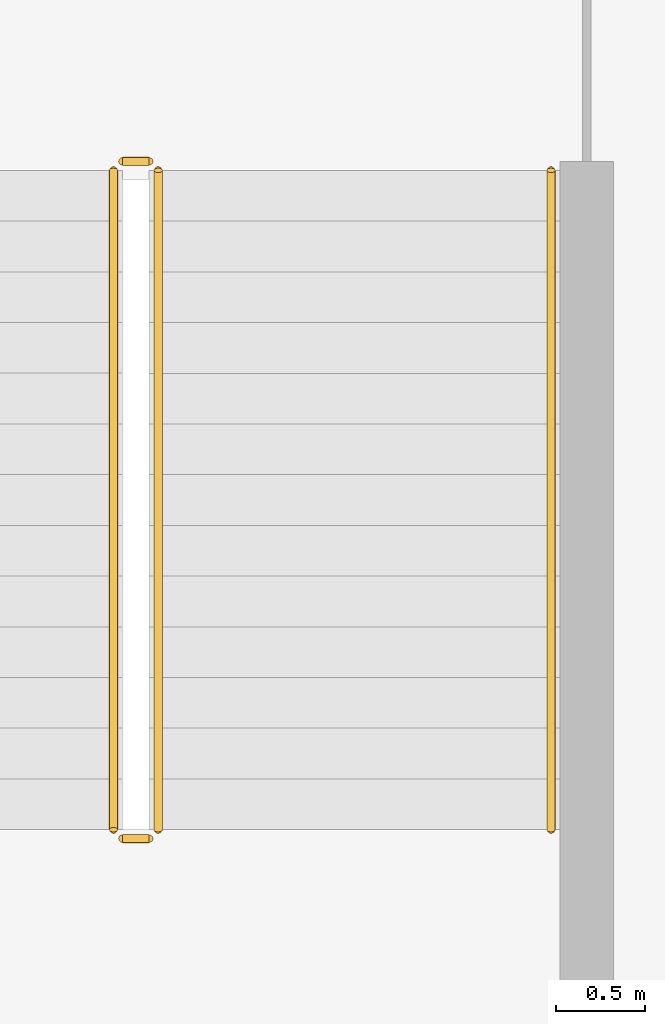
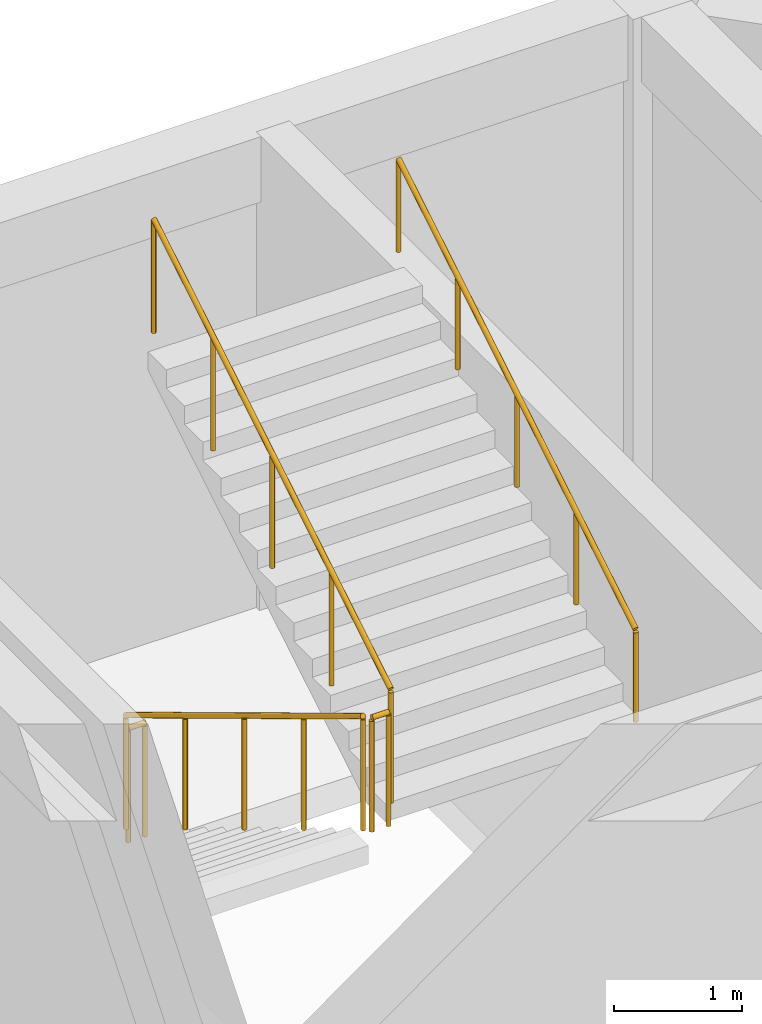
# One storey, part 26 of 26: 5 railings.
"""IFC4 building model written with IfcOpenShell, lengths in metres."""

from ifc_helpers import new_model, si_unit, direction, frame, origin, origin_2d, place, context, subcontext, project, spatial, circle, extrude, material, type_object, element, save


model = new_model("IFC4")

# Units and contexts
model_context = context("Model", 3, precision=1e-05, world=origin(), true_north=direction((0.0, 1.0)))
body_context = subcontext(model_context, "Body", "Model", "MODEL_VIEW")
ifc_project = project(units=[si_unit("LENGTHUNIT", "METRE"), si_unit("AREAUNIT", "SQUARE_METRE"), si_unit("VOLUMEUNIT", "CUBIC_METRE"), si_unit("PLANEANGLEUNIT", "RADIAN"), si_unit("MASSUNIT", "GRAM", prefix="KILO")], contexts=[model_context])

# Site, building, storey
site_placement = place(None, origin())
site = spatial("IfcSite", under=ifc_project, at=site_placement, CompositionType="ELEMENT")
building_placement = place(site_placement, origin())
building = spatial("IfcBuilding", under=site, at=building_placement, Name="Dhurran Vertical Campus", CompositionType="ELEMENT")
storey_placement = place(building_placement, frame((0.0, 0.0, 15.60009765625)))
storey = spatial("IfcBuildingStorey", under=building, at=storey_placement, Name="L03", CompositionType="ELEMENT", Elevation=15.60009765625)

# Railings
ifc_material_1 = material(Name="Steel S355J2H", Category="steel")
railing_type_1 = type_object("IfcRailingType", Name="hl-stair guard 1100", PredefinedType="GUARDRAIL", material=ifc_material_1)
railing_1_placement = place(storey_placement, frame((118.39990234375, 24.550048828125, 0.17138671875)))
element("IfcRailing", 1, at=railing_1_placement, inside=storey, type_object=railing_type_1, Name="L03 HST2 stair guard 1", PredefinedType="GUARDRAIL", context=body_context, shape_type="SweptSolid", body=[
    extrude(circle(Radius=0.02392578125, at=origin_2d()), frame((0.0, 0.0, 1.076171875), z_axis=(0.0, -0.85613627591, 0.516750110858), x_axis=(1.0, 0.0, 0.0)), (0.0, 0.0, 1.0), 4.3125),
    extrude(circle(Radius=0.02099609375, at=origin_2d()), origin(), (0.0, 0.0, 1.0), 1.052001953125),
    extrude(circle(Radius=0.02099609375, at=origin_2d()), frame((0.0, -0.923095703125, 0.55712890625)), (0.0, 0.0, 1.0), 1.052001953125),
    extrude(circle(Radius=0.02099609375, at=origin_2d()), frame((0.0, -1.84619140625, 1.1142578125)), (0.0, 0.0, 1.0), 1.052001953125),
    extrude(circle(Radius=0.02099609375, at=origin_2d()), frame((0.0, -2.76904296875, 1.67138671875)), (0.0, 0.0, 1.0), 1.052001953125),
    extrude(circle(Radius=0.02099609375, at=origin_2d()), frame((0.0, -3.692138671875, 2.228515625)), (0.0, 0.0, 1.0), 1.052001953125),
])
railing_2_placement = place(storey_placement, frame((118.449951171875, 20.80810546875, 2.39990234375)))
element("IfcRailing", 2, at=railing_2_placement, inside=storey, type_object=railing_type_1, Name="L03 HST2 stair guard 2", PredefinedType="GUARDRAIL", context=body_context, shape_type="SweptSolid", body=[
    extrude(circle(Radius=0.02392578125, at=origin_2d()), frame((0.0, 0.0, 1.076171875), z_axis=(1.0, 0.0, 0.0), x_axis=(0.0, 1.0, 0.0)), (0.0, 0.0, 1.0), 0.150146484375),
    extrude(circle(Radius=0.02099609375, at=origin_2d()), origin(), (0.0, 0.0, 1.0), 1.052001953125),
    extrude(circle(Radius=0.02099609375, at=origin_2d()), frame((0.150146484375, 0.0, 0.0)), (0.0, 0.0, 1.0), 1.052001953125),
])
railing_3_placement = place(storey_placement, frame((118.64990234375, 20.85791015625, 2.5712890625)))
element("IfcRailing", 3, at=railing_3_placement, inside=storey, type_object=railing_type_1, Name="L03 HST2 stair guard 3", PredefinedType="GUARDRAIL", context=body_context, shape_type="SweptSolid", body=[
    extrude(circle(Radius=0.02392578125, at=origin_2d()), frame((0.0, 0.0, 1.076171875), z_axis=(0.0, 0.85613627591, 0.516750110858), x_axis=(-1.0, 0.0, 0.0)), (0.0, 0.0, 1.0), 4.3125),
    extrude(circle(Radius=0.02099609375, at=origin_2d()), origin(), (0.0, 0.0, 1.0), 1.052001953125),
    extrude(circle(Radius=0.02099609375, at=origin_2d()), frame((0.0, 0.923095703125, 0.55712890625)), (0.0, 0.0, 1.0), 1.052001953125),
    extrude(circle(Radius=0.02099609375, at=origin_2d()), frame((0.0, 1.84619140625, 1.1142578125)), (0.0, 0.0, 1.0), 1.052001953125),
    extrude(circle(Radius=0.02099609375, at=origin_2d()), frame((0.0, 2.76904296875, 1.67138671875)), (0.0, 0.0, 1.0), 1.052001953125),
    extrude(circle(Radius=0.02099609375, at=origin_2d()), frame((0.0, 3.692138671875, 2.228515625)), (0.0, 0.0, 1.0), 1.052001953125),
])
railing_4_placement = place(storey_placement, frame((118.449951171875, 24.60009765625, 0.0)))
element("IfcRailing", 4, at=railing_4_placement, inside=storey, type_object=railing_type_1, Name="L03 HST2 stair guard 4", PredefinedType="GUARDRAIL", context=body_context, shape_type="SweptSolid", body=[
    extrude(circle(Radius=0.02392578125, at=origin_2d()), frame((0.0, 0.0, 1.076171875), z_axis=(1.0, 0.0, 0.0), x_axis=(0.0, 1.0, 0.0)), (0.0, 0.0, 1.0), 0.150146484375),
    extrude(circle(Radius=0.02099609375, at=origin_2d()), origin(), (0.0, 0.0, 1.0), 1.052001953125),
    extrude(circle(Radius=0.02099609375, at=origin_2d()), frame((0.150146484375, 0.0, 0.0)), (0.0, 0.0, 1.0), 1.052001953125),
])
ifc_material_2 = material(Name="Steel S355J2H", Category="steel")
railing_type_2 = type_object("IfcRailingType", Name="hl-stair handrail", PredefinedType="HANDRAIL", material=ifc_material_2)
railing_5_placement = place(storey_placement, frame((120.85009765625, 20.85791015625, 2.5712890625)))
element("IfcRailing", 5, at=railing_5_placement, inside=storey, type_object=railing_type_2, Name="L03 HST2 stair handrail 2", PredefinedType="HANDRAIL", context=body_context, shape_type="SweptSolid", body=[
    extrude(circle(Radius=0.02392578125, at=origin_2d()), frame((0.0, 0.0, 0.8759765625), z_axis=(0.0, 0.85613627591, 0.516750110858), x_axis=(-1.0, 0.0, 0.0)), (0.0, 0.0, 1.0), 4.3125),
    extrude(circle(Radius=0.02099609375, at=origin_2d()), origin(), (0.0, 0.0, 1.0), 0.851806640625),
    extrude(circle(Radius=0.02099609375, at=origin_2d()), frame((0.0, 0.923095703125, 0.55712890625)), (0.0, 0.0, 1.0), 0.851806640625),
    extrude(circle(Radius=0.02099609375, at=origin_2d()), frame((0.0, 1.84619140625, 1.1142578125)), (0.0, 0.0, 1.0), 0.851806640625),
    extrude(circle(Radius=0.02099609375, at=origin_2d()), frame((0.0, 2.76904296875, 1.67138671875)), (0.0, 0.0, 1.0), 0.851806640625),
    extrude(circle(Radius=0.02099609375, at=origin_2d()), frame((0.0, 3.692138671875, 2.228515625)), (0.0, 0.0, 1.0), 0.851806640625),
])

save(model, "model.ifc")
